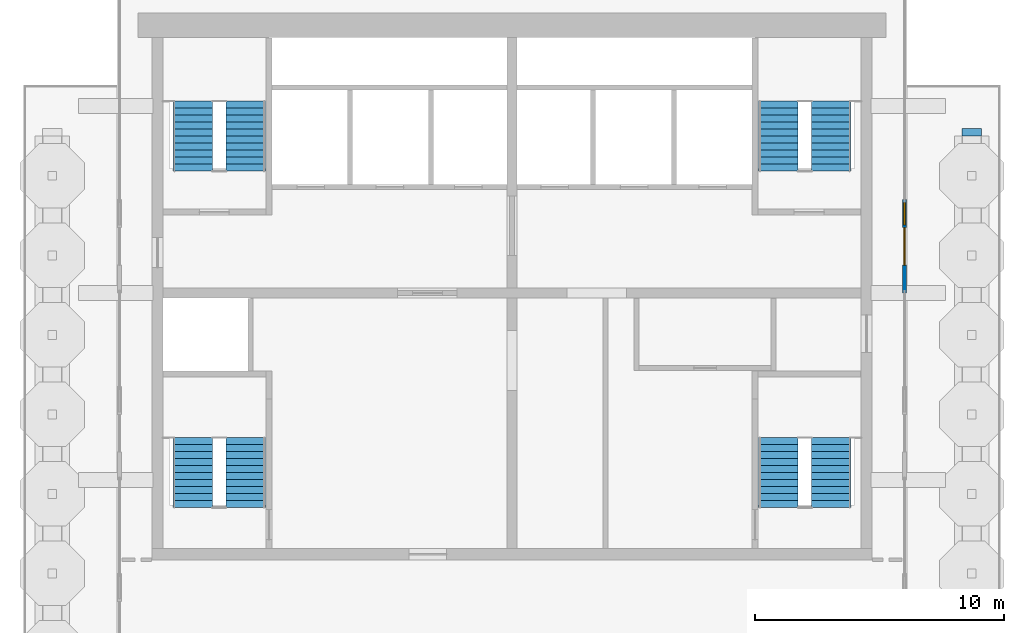
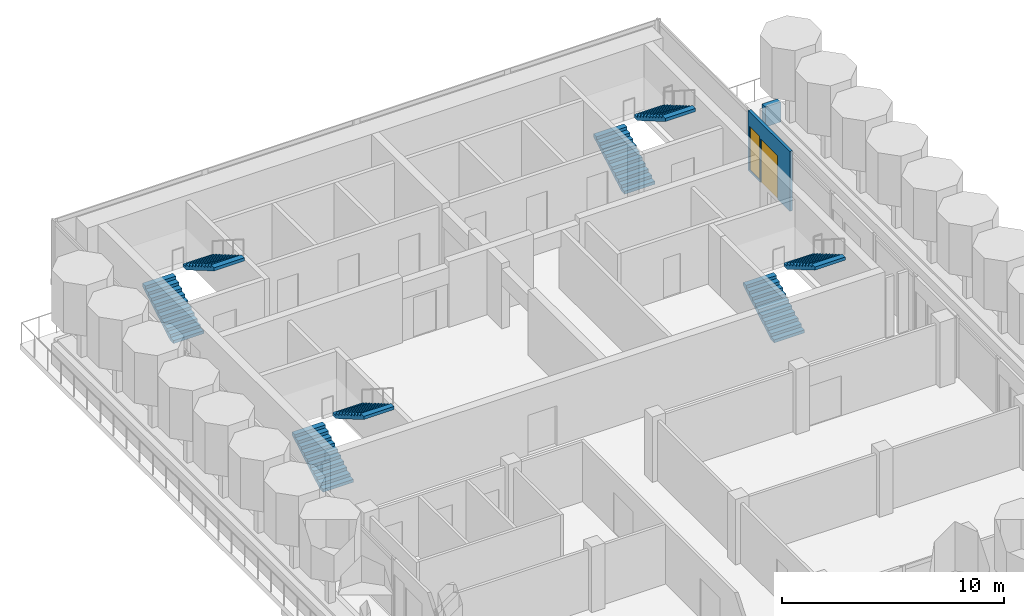
# One storey, part 7 of 10: 8 stair flights, 2 walls, 1 door, 1 window, 2 openings, 4 elements without a shape of their own.
"""IFC4 building model written with IfcOpenShell, lengths in metres."""

from ifc_helpers import new_model, si_unit, direction, frame, frame_2d, origin, place, context, subcontext, project, spatial, polyline, rectangle, outline, extrude, material, layer, layer_set, type_object, element, fill, aggregate, save


model = new_model("IFC4")

# Units and contexts
model_context = context("Model", 3, precision=1e-05, world=origin(), true_north=direction((0.0, 1.0)))
body_context = subcontext(model_context, "Body", "Model", "MODEL_VIEW")
ifc_project = project(units=[si_unit("LENGTHUNIT", "METRE"), si_unit("AREAUNIT", "SQUARE_METRE"), si_unit("VOLUMEUNIT", "CUBIC_METRE"), si_unit("PLANEANGLEUNIT", "RADIAN"), si_unit("MASSUNIT", "GRAM", prefix="KILO")], contexts=[model_context])

# Site, building, storey
site_placement = place(None, origin())
site = spatial("IfcSite", under=ifc_project, at=site_placement, CompositionType="ELEMENT")
building_placement = place(site_placement, origin())
building = spatial("IfcBuilding", under=site, at=building_placement, Name="Pilkhan Gate Tower", CompositionType="ELEMENT")
storey_placement = place(building_placement, frame((0.0, 0.0, 272.89990234375)))
storey = spatial("IfcBuildingStorey", under=building, at=storey_placement, Name="L71", CompositionType="ELEMENT", Elevation=272.89990234375)

# Wall, openings, door, window
ifc_material_1 = material(Name="Pale anodised aluminium, clear laminated glazing", Category="aluminium")
ifc_layer_1 = layer(ifc_material_1, 0.14990234375)
ifc_layer_set_1 = layer_set([ifc_layer_1], Name="Facade infill wall IW150")
wall_type_1 = type_object("IfcWallType", Name="Facade infill wall IW150", PredefinedType="SOLIDWALL", material=ifc_layer_set_1)
wall_1_placement = place(storey_placement, frame((90.75, 86.25, 0.0), z_axis=(0.0, 0.0, 1.0), x_axis=(0.0, -1.0, 0.0)))
wall_1 = element("IfcWall", 1, at=wall_1_placement, inside=storey, type_object=wall_type_1, Name="Infill wall L71 E", PredefinedType="SOLIDWALL", context=body_context, shape_type="SweptSolid", body=[
    extrude(rectangle(XDim=3.75, YDim=0.14990234375, at=frame_2d((1.875, 0.0))), origin(), (0.0, 0.0, 1.0), 3.300048828125),
])
opening_1_placement = place(wall_1_placement, frame((0.112548828125, 0.0, 0.10009765625)))
opening_1 = element("IfcOpeningElement", 2, at=opening_1_placement, cuts=wall_1, Name="Opening W1", PredefinedType="OPENING", context=body_context, shape_type="SweptSolid", body=[
    extrude(rectangle(XDim=0.89990234375, YDim=2.39990234375, at=frame_2d((0.449951171875, 1.199951171875))), frame((0.0, 0.0849609375, 0.0), z_axis=(0.0, -1.0, 0.0), x_axis=(1.0, 0.0, 0.0)), (0.0, 0.0, 1.0), 0.169921875),
])
opening_2_placement = place(wall_1_placement, frame((1.125, 0.0, 0.0)))
opening_2 = element("IfcOpeningElement", 3, at=opening_2_placement, cuts=wall_1, Name="Opening D5", PredefinedType="OPENING", context=body_context, shape_type="SweptSolid", body=[
    extrude(rectangle(XDim=1.5, YDim=2.39990234375, at=frame_2d((0.75, 1.199951171875))), frame((0.0, 0.0849609375, 0.0), z_axis=(0.0, -1.0, 0.0), x_axis=(1.0, 0.0, 0.0)), (0.0, 0.0, 1.0), 0.169921875),
])
ifc_material_2 = material(Name="Pale anodised aluminium, clear glazing", Category="aluminium")
door_type = type_object("IfcDoorType", Name="Terrace door D5 1500x2400", OperationType="DOUBLE_DOOR_SINGLE_SWING", PredefinedType="DOOR", material=ifc_material_2)
door_placement = place(opening_2_placement, origin())
door = element("IfcDoor", 4, at=door_placement, inside=storey, type_object=door_type, Name="Terrace door L71", OperationType="DOUBLE_DOOR_SINGLE_SWING", OverallHeight=2.39990234375, OverallWidth=1.5, PredefinedType="DOOR", context=body_context, shape_type="SweptSolid", body=[
    extrude(rectangle(XDim=1.5, YDim=2.39990234375, at=frame_2d((0.75, 1.199951171875))), frame((0.0, 0.02490234375, 0.0), z_axis=(0.0, -1.0, 0.0), x_axis=(1.0, 0.0, 0.0)), (0.0, 0.0, 1.0), 0.050048828125),
])
fill(opening_2, door)
ifc_material_3 = material(Name="Pale anodised aluminium, clear double glazing", Category="aluminium")
window_type = type_object("IfcWindowType", Name="Window W1 900x2400", PartitioningType="SINGLE_PANEL", PredefinedType="WINDOW", material=ifc_material_3)
window_placement = place(opening_1_placement, origin())
window = element("IfcWindow", 5, at=window_placement, inside=storey, type_object=window_type, Name="Window L71", OverallHeight=2.39990234375, OverallWidth=0.89990234375, PartitioningType="SINGLE_PANEL", PredefinedType="WINDOW", context=body_context, shape_type="SweptSolid", body=[
    extrude(rectangle(XDim=0.89990234375, YDim=2.39990234375, at=frame_2d((0.449951171875, 1.199951171875))), frame((0.0, 0.030029296875, 0.0), z_axis=(0.0, -1.0, 0.0), x_axis=(1.0, 0.0, 0.0)), (0.0, 0.0, 1.0), 0.06005859375),
])
fill(opening_1, window)

# Wall
ifc_material_4 = material(Name="Concrete C40/50", Category="concrete")
ifc_layer_2 = layer(ifc_material_4, 0.300048828125)
ifc_layer_set_2 = layer_set([ifc_layer_2], Name="Terrace planter TP800")
wall_type_2 = type_object("IfcWallType", Name="Terrace planter TP800", PredefinedType="USERDEFINED", material=ifc_layer_set_2)
wall_2_placement = place(storey_placement, frame((93.050048828125, 88.949951171875, 0.0), z_axis=(0.0, 0.0, 1.0), x_axis=(1.0, 0.0, 0.0)))
element("IfcWall", 6, at=wall_2_placement, inside=storey, type_object=wall_type_2, Name="Terrace planter L71", ObjectType="TERRACE PLANTER", PredefinedType="USERDEFINED", context=body_context, shape_type="SweptSolid", body=[
    extrude(rectangle(XDim=0.800048828125, YDim=0.300048828125, at=frame_2d((0.39990234375, 0.0))), origin(), (0.0, 0.0, 1.0), 1.10009765625),
])

# Stair, stair flights
ifc_material_5 = material(Name="Concrete C40/50 precast", Category="concrete")
stair_type_1 = type_object("IfcStairType", Name="Stair ST1 164x280", PredefinedType="HALF_TURN_STAIR", material=ifc_material_5)
stair_1_placement = place(storey_placement, origin())
stair_1 = element("IfcStair", 7, at=stair_1_placement, inside=storey, type_object=stair_type_1, Name="Stair ST1 L71", PredefinedType="HALF_TURN_STAIR")
stair_flight_type_1 = type_object("IfcStairFlightType", Name="Stair flight ST1 164x280x11", PredefinedType="STRAIGHT", material=ifc_material_5)
stair_flight_1_placement = place(storey_placement, frame((85.68994140625, 73.89990234375, 0.0), z_axis=(0.0, 0.0, 1.0), x_axis=(0.0, 1.0, 0.0)))
stair_flight_1 = element("IfcStairFlight", 8, at=stair_flight_1_placement, type_object=stair_flight_type_1, Name="ST1 flight 1", NumberOfRisers=11, NumberOfTreads=10, PredefinedType="STRAIGHT", RiserHeight=0.163636364, TreadLength=0.28, context=body_context, shape_type="SweptSolid", body=[
    extrude(outline(polyline([(0.0, 0.0), (0.0, 0.16357421875), (0.280029296875, 0.16357421875), (0.280029296875, 0.327392578125), (0.56005859375, 0.327392578125), (0.56005859375, 0.490966796875), (0.840087890625, 0.490966796875), (0.840087890625, 0.654541015625), (1.1201171875, 0.654541015625), (1.1201171875, 0.818115234375), (1.39990234375, 0.818115234375), (1.39990234375, 0.98193359375), (1.679931640625, 0.98193359375), (1.679931640625, 1.1455078125), (1.9599609375, 1.1455078125), (1.9599609375, 1.30908203125), (2.239990234375, 1.30908203125), (2.239990234375, 1.47265625), (2.52001953125, 1.47265625), (2.52001953125, 1.636474609375), (2.800048828125, 1.636474609375), (2.800048828125, 1.800048828125), (2.800048828125, 1.462646484375), (0.297119140625, 0.0), (0.0, 0.0)])), frame((0.0, 0.7900390625, 0.0), z_axis=(0.0, -1.0, 0.0), x_axis=(1.0, 0.0, 0.0)), (0.0, 0.0, 1.0), 1.580078125),
])
stair_flight_2_placement = place(storey_placement, frame((87.81005859375, 76.699951171875, 1.800048828125), z_axis=(0.0, 0.0, 1.0), x_axis=(0.0, -1.0, 0.0)))
stair_flight_2 = element("IfcStairFlight", 9, at=stair_flight_2_placement, type_object=stair_flight_type_1, Name="ST1 flight 2", NumberOfRisers=11, NumberOfTreads=10, PredefinedType="STRAIGHT", RiserHeight=0.163636364, TreadLength=0.28, context=body_context, shape_type="SweptSolid", body=[
    extrude(outline(polyline([(0.0, 0.0), (0.0, 0.16357421875), (0.280029296875, 0.16357421875), (0.280029296875, 0.327392578125), (0.56005859375, 0.327392578125), (0.56005859375, 0.490966796875), (0.840087890625, 0.490966796875), (0.840087890625, 0.654541015625), (1.1201171875, 0.654541015625), (1.1201171875, 0.818115234375), (1.39990234375, 0.818115234375), (1.39990234375, 0.98193359375), (1.679931640625, 0.98193359375), (1.679931640625, 1.1455078125), (1.9599609375, 1.1455078125), (1.9599609375, 1.30908203125), (2.239990234375, 1.30908203125), (2.239990234375, 1.47265625), (2.52001953125, 1.47265625), (2.52001953125, 1.636474609375), (2.800048828125, 1.636474609375), (2.800048828125, 1.800048828125), (2.800048828125, 1.462646484375), (0.297119140625, 0.0), (0.0, 0.0)])), frame((0.0, 0.7900390625, 0.0), z_axis=(0.0, -1.0, 0.0), x_axis=(1.0, 0.0, 0.0)), (0.0, 0.0, 1.0), 1.580078125),
])
aggregate(stair_1, [stair_flight_1, stair_flight_2])

stair_type_2 = type_object("IfcStairType", Name="Stair ST2 164x280", PredefinedType="HALF_TURN_STAIR", material=ifc_material_5)
stair_2_placement = place(storey_placement, origin())
stair_2 = element("IfcStair", 10, at=stair_2_placement, inside=storey, type_object=stair_type_2, Name="Stair ST2 L71", PredefinedType="HALF_TURN_STAIR")
stair_flight_type_2 = type_object("IfcStairFlightType", Name="Stair flight ST2 164x280x11", PredefinedType="STRAIGHT", material=ifc_material_5)
stair_flight_3_placement = place(storey_placement, frame((62.18994140625, 73.89990234375, 0.0), z_axis=(0.0, 0.0, 1.0), x_axis=(0.0, 1.0, 0.0)))
stair_flight_3 = element("IfcStairFlight", 11, at=stair_flight_3_placement, type_object=stair_flight_type_2, Name="ST2 flight 1", NumberOfRisers=11, NumberOfTreads=10, PredefinedType="STRAIGHT", RiserHeight=0.163636364, TreadLength=0.28, context=body_context, shape_type="SweptSolid", body=[
    extrude(outline(polyline([(0.0, 0.0), (0.0, 0.16357421875), (0.280029296875, 0.16357421875), (0.280029296875, 0.327392578125), (0.56005859375, 0.327392578125), (0.56005859375, 0.490966796875), (0.840087890625, 0.490966796875), (0.840087890625, 0.654541015625), (1.1201171875, 0.654541015625), (1.1201171875, 0.818115234375), (1.39990234375, 0.818115234375), (1.39990234375, 0.98193359375), (1.679931640625, 0.98193359375), (1.679931640625, 1.1455078125), (1.9599609375, 1.1455078125), (1.9599609375, 1.30908203125), (2.239990234375, 1.30908203125), (2.239990234375, 1.47265625), (2.52001953125, 1.47265625), (2.52001953125, 1.636474609375), (2.800048828125, 1.636474609375), (2.800048828125, 1.800048828125), (2.800048828125, 1.462646484375), (0.297119140625, 0.0), (0.0, 0.0)])), frame((0.0, 0.7900390625, 0.0), z_axis=(0.0, -1.0, 0.0), x_axis=(1.0, 0.0, 0.0)), (0.0, 0.0, 1.0), 1.580078125),
])
stair_flight_4_placement = place(storey_placement, frame((64.31005859375, 76.699951171875, 1.800048828125), z_axis=(0.0, 0.0, 1.0), x_axis=(0.0, -1.0, 0.0)))
stair_flight_4 = element("IfcStairFlight", 12, at=stair_flight_4_placement, type_object=stair_flight_type_2, Name="ST2 flight 2", NumberOfRisers=11, NumberOfTreads=10, PredefinedType="STRAIGHT", RiserHeight=0.163636364, TreadLength=0.28, context=body_context, shape_type="SweptSolid", body=[
    extrude(outline(polyline([(0.0, 0.0), (0.0, 0.16357421875), (0.280029296875, 0.16357421875), (0.280029296875, 0.327392578125), (0.56005859375, 0.327392578125), (0.56005859375, 0.490966796875), (0.840087890625, 0.490966796875), (0.840087890625, 0.654541015625), (1.1201171875, 0.654541015625), (1.1201171875, 0.818115234375), (1.39990234375, 0.818115234375), (1.39990234375, 0.98193359375), (1.679931640625, 0.98193359375), (1.679931640625, 1.1455078125), (1.9599609375, 1.1455078125), (1.9599609375, 1.30908203125), (2.239990234375, 1.30908203125), (2.239990234375, 1.47265625), (2.52001953125, 1.47265625), (2.52001953125, 1.636474609375), (2.800048828125, 1.636474609375), (2.800048828125, 1.800048828125), (2.800048828125, 1.462646484375), (0.297119140625, 0.0), (0.0, 0.0)])), frame((0.0, 0.7900390625, 0.0), z_axis=(0.0, -1.0, 0.0), x_axis=(1.0, 0.0, 0.0)), (0.0, 0.0, 1.0), 1.580078125),
])
aggregate(stair_2, [stair_flight_3, stair_flight_4])

stair_type_3 = type_object("IfcStairType", Name="Stair ST3 164x280", PredefinedType="HALF_TURN_STAIR", material=ifc_material_5)
stair_3_placement = place(storey_placement, origin())
stair_3 = element("IfcStair", 13, at=stair_3_placement, inside=storey, type_object=stair_type_3, Name="Stair ST3 L71", PredefinedType="HALF_TURN_STAIR")
stair_flight_type_3 = type_object("IfcStairFlightType", Name="Stair flight ST3 164x280x11", PredefinedType="STRAIGHT", material=ifc_material_5)
stair_flight_5_placement = place(storey_placement, frame((62.18994140625, 87.39990234375, 0.0), z_axis=(0.0, 0.0, 1.0), x_axis=(0.0, 1.0, 0.0)))
stair_flight_5 = element("IfcStairFlight", 14, at=stair_flight_5_placement, type_object=stair_flight_type_3, Name="ST3 flight 1", NumberOfRisers=11, NumberOfTreads=10, PredefinedType="STRAIGHT", RiserHeight=0.163636364, TreadLength=0.28, context=body_context, shape_type="SweptSolid", body=[
    extrude(outline(polyline([(0.0, 0.0), (0.0, 0.16357421875), (0.280029296875, 0.16357421875), (0.280029296875, 0.327392578125), (0.56005859375, 0.327392578125), (0.56005859375, 0.490966796875), (0.840087890625, 0.490966796875), (0.840087890625, 0.654541015625), (1.1201171875, 0.654541015625), (1.1201171875, 0.818115234375), (1.39990234375, 0.818115234375), (1.39990234375, 0.98193359375), (1.679931640625, 0.98193359375), (1.679931640625, 1.1455078125), (1.9599609375, 1.1455078125), (1.9599609375, 1.30908203125), (2.239990234375, 1.30908203125), (2.239990234375, 1.47265625), (2.52001953125, 1.47265625), (2.52001953125, 1.636474609375), (2.800048828125, 1.636474609375), (2.800048828125, 1.800048828125), (2.800048828125, 1.462646484375), (0.297119140625, 0.0), (0.0, 0.0)])), frame((0.0, 0.7900390625, 0.0), z_axis=(0.0, -1.0, 0.0), x_axis=(1.0, 0.0, 0.0)), (0.0, 0.0, 1.0), 1.580078125),
])
stair_flight_6_placement = place(storey_placement, frame((64.31005859375, 90.199951171875, 1.800048828125), z_axis=(0.0, 0.0, 1.0), x_axis=(0.0, -1.0, 0.0)))
stair_flight_6 = element("IfcStairFlight", 15, at=stair_flight_6_placement, type_object=stair_flight_type_3, Name="ST3 flight 2", NumberOfRisers=11, NumberOfTreads=10, PredefinedType="STRAIGHT", RiserHeight=0.163636364, TreadLength=0.28, context=body_context, shape_type="SweptSolid", body=[
    extrude(outline(polyline([(0.0, 0.0), (0.0, 0.16357421875), (0.280029296875, 0.16357421875), (0.280029296875, 0.327392578125), (0.56005859375, 0.327392578125), (0.56005859375, 0.490966796875), (0.840087890625, 0.490966796875), (0.840087890625, 0.654541015625), (1.1201171875, 0.654541015625), (1.1201171875, 0.818115234375), (1.39990234375, 0.818115234375), (1.39990234375, 0.98193359375), (1.679931640625, 0.98193359375), (1.679931640625, 1.1455078125), (1.9599609375, 1.1455078125), (1.9599609375, 1.30908203125), (2.239990234375, 1.30908203125), (2.239990234375, 1.47265625), (2.52001953125, 1.47265625), (2.52001953125, 1.636474609375), (2.800048828125, 1.636474609375), (2.800048828125, 1.800048828125), (2.800048828125, 1.462646484375), (0.297119140625, 0.0), (0.0, 0.0)])), frame((0.0, 0.7900390625, 0.0), z_axis=(0.0, -1.0, 0.0), x_axis=(1.0, 0.0, 0.0)), (0.0, 0.0, 1.0), 1.580078125),
])
aggregate(stair_3, [stair_flight_5, stair_flight_6])

stair_type_4 = type_object("IfcStairType", Name="Stair ST4 164x280", PredefinedType="HALF_TURN_STAIR", material=ifc_material_5)
stair_4_placement = place(storey_placement, origin())
stair_4 = element("IfcStair", 16, at=stair_4_placement, inside=storey, type_object=stair_type_4, Name="Stair ST4 L71", PredefinedType="HALF_TURN_STAIR")
stair_flight_type_4 = type_object("IfcStairFlightType", Name="Stair flight ST4 164x280x11", PredefinedType="STRAIGHT", material=ifc_material_5)
stair_flight_7_placement = place(storey_placement, frame((85.68994140625, 87.39990234375, 0.0), z_axis=(0.0, 0.0, 1.0), x_axis=(0.0, 1.0, 0.0)))
stair_flight_7 = element("IfcStairFlight", 17, at=stair_flight_7_placement, type_object=stair_flight_type_4, Name="ST4 flight 1", NumberOfRisers=11, NumberOfTreads=10, PredefinedType="STRAIGHT", RiserHeight=0.163636364, TreadLength=0.28, context=body_context, shape_type="SweptSolid", body=[
    extrude(outline(polyline([(0.0, 0.0), (0.0, 0.16357421875), (0.280029296875, 0.16357421875), (0.280029296875, 0.327392578125), (0.56005859375, 0.327392578125), (0.56005859375, 0.490966796875), (0.840087890625, 0.490966796875), (0.840087890625, 0.654541015625), (1.1201171875, 0.654541015625), (1.1201171875, 0.818115234375), (1.39990234375, 0.818115234375), (1.39990234375, 0.98193359375), (1.679931640625, 0.98193359375), (1.679931640625, 1.1455078125), (1.9599609375, 1.1455078125), (1.9599609375, 1.30908203125), (2.239990234375, 1.30908203125), (2.239990234375, 1.47265625), (2.52001953125, 1.47265625), (2.52001953125, 1.636474609375), (2.800048828125, 1.636474609375), (2.800048828125, 1.800048828125), (2.800048828125, 1.462646484375), (0.297119140625, 0.0), (0.0, 0.0)])), frame((0.0, 0.7900390625, 0.0), z_axis=(0.0, -1.0, 0.0), x_axis=(1.0, 0.0, 0.0)), (0.0, 0.0, 1.0), 1.580078125),
])
stair_flight_8_placement = place(storey_placement, frame((87.81005859375, 90.199951171875, 1.800048828125), z_axis=(0.0, 0.0, 1.0), x_axis=(0.0, -1.0, 0.0)))
stair_flight_8 = element("IfcStairFlight", 18, at=stair_flight_8_placement, type_object=stair_flight_type_4, Name="ST4 flight 2", NumberOfRisers=11, NumberOfTreads=10, PredefinedType="STRAIGHT", RiserHeight=0.163636364, TreadLength=0.28, context=body_context, shape_type="SweptSolid", body=[
    extrude(outline(polyline([(0.0, 0.0), (0.0, 0.16357421875), (0.280029296875, 0.16357421875), (0.280029296875, 0.327392578125), (0.56005859375, 0.327392578125), (0.56005859375, 0.490966796875), (0.840087890625, 0.490966796875), (0.840087890625, 0.654541015625), (1.1201171875, 0.654541015625), (1.1201171875, 0.818115234375), (1.39990234375, 0.818115234375), (1.39990234375, 0.98193359375), (1.679931640625, 0.98193359375), (1.679931640625, 1.1455078125), (1.9599609375, 1.1455078125), (1.9599609375, 1.30908203125), (2.239990234375, 1.30908203125), (2.239990234375, 1.47265625), (2.52001953125, 1.47265625), (2.52001953125, 1.636474609375), (2.800048828125, 1.636474609375), (2.800048828125, 1.800048828125), (2.800048828125, 1.462646484375), (0.297119140625, 0.0), (0.0, 0.0)])), frame((0.0, 0.7900390625, 0.0), z_axis=(0.0, -1.0, 0.0), x_axis=(1.0, 0.0, 0.0)), (0.0, 0.0, 1.0), 1.580078125),
])
aggregate(stair_4, [stair_flight_7, stair_flight_8])

save(model, "model.ifc")
